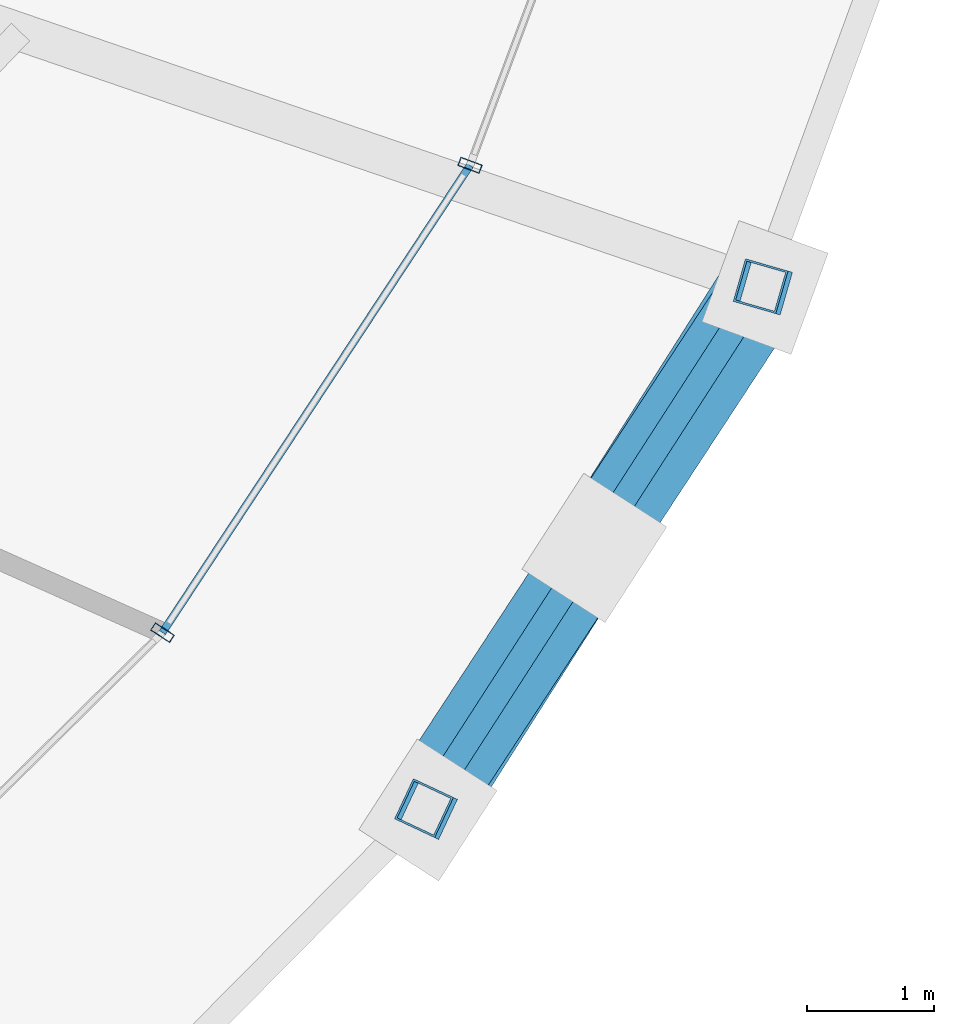
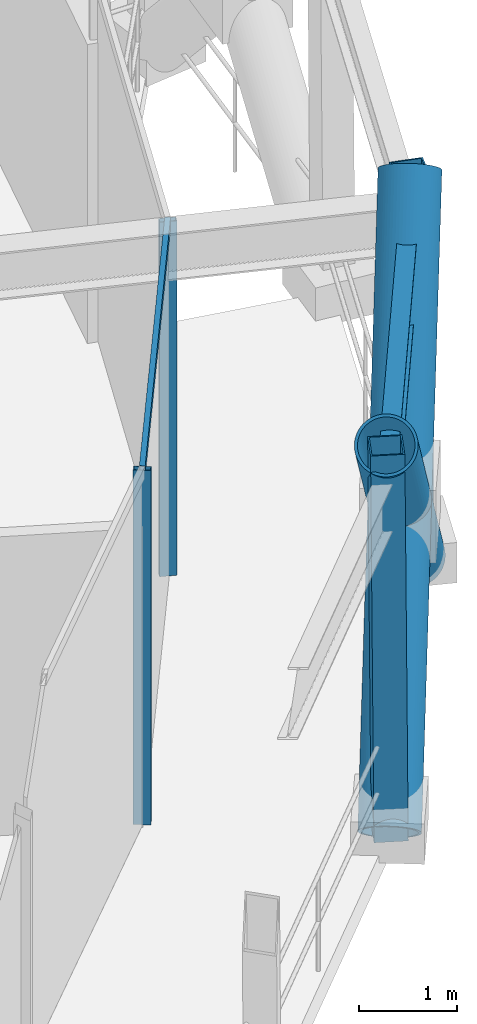
# One storey, part 15 of 39: 8 members, 1 beam, 1 element without a shape of its own.
"""IFC4 building model written with IfcOpenShell, lengths in metres."""

from ifc_helpers import new_model, si_unit, direction, frame, origin, origin_2d, place, context, subcontext, project, spatial, hollow_rectangle, hollow_circle, i_section, extrude, material, layer, layer_set, material_profile, profile_set, type_object, element, aggregate, save


model = new_model("IFC4")

# Units and contexts
model_context = context("Model", 3, precision=1e-05, world=origin(), true_north=direction((0.0, 1.0)))
body_context = subcontext(model_context, "Body", "Model", "MODEL_VIEW")
ifc_project = project(units=[si_unit("LENGTHUNIT", "METRE"), si_unit("AREAUNIT", "SQUARE_METRE"), si_unit("VOLUMEUNIT", "CUBIC_METRE"), si_unit("PLANEANGLEUNIT", "RADIAN"), si_unit("MASSUNIT", "GRAM", prefix="KILO")], contexts=[model_context])

# Site, building, storey
site_placement = place(None, origin())
site = spatial("IfcSite", under=ifc_project, at=site_placement, CompositionType="ELEMENT")
building_placement = place(site_placement, origin())
building = spatial("IfcBuilding", under=site, at=building_placement, Name="Veldorina Hangang Commons", CompositionType="ELEMENT")
storey_placement = place(building_placement, frame((0.0, 0.0, 106.0)))
storey = spatial("IfcBuildingStorey", under=building, at=storey_placement, Name="L27", CompositionType="ELEMENT", Elevation=106.0)

# Beam
ifc_material_1 = material(Name="Steel SM420-TMC", Category="steel")
ifc_material_profile_1 = material_profile(ifc_material_1, i_section(OverallWidth=0.199951171875, OverallDepth=0.60009765625, WebThickness=0.010986328125, FlangeThickness=0.01708984375, FilletRadius=0.01806640625, at=origin_2d()), Name="H-600x200x11x17")
ifc_profile_set_1 = profile_set([ifc_material_profile_1], Name="Steel SM420-TMC")
beam_type = type_object("IfcBeamType", Name="BM-RB600", PredefinedType="BEAM", material=ifc_profile_set_1)
beam_placement = place(storey_placement, frame((55.905029296875, 10.763427734375, 4.139892578125), z_axis=(0.542050857771, 0.840345683388, 0.0), x_axis=(-0.840345683388, 0.542050857771, 0.0)))
element("IfcBeam", 1, at=beam_placement, inside=storey, type_object=beam_type, Name="L27 perimeter hoop ring beam 29", PredefinedType="BEAM", context=body_context, shape_type="SweptSolid", body=[
    extrude(i_section(OverallWidth=0.199951171875, OverallDepth=0.60009765625, WebThickness=0.010986328125, FlangeThickness=0.01708984375, FilletRadius=0.01806640625, at=origin_2d()), origin(), (0.0, 0.0, 1.0), 4.901611328125),
])

# Curtain wall, members
ifc_material_2 = material(Name="Glass Acoustic Laminated", Category="glass")
ifc_layer = layer(ifc_material_2, 0.179931640625)
ifc_layer_set = layer_set([ifc_layer], Name="Glass Acoustic Laminated")
curtain_wall_type = type_object("IfcCurtainWallType", Name="CW-SYS-SKY", PredefinedType="NOTDEFINED", material=ifc_layer_set)
curtain_wall_placement = place(storey_placement, origin())
curtain_wall = element("IfcCurtainWall", 2, at=curtain_wall_placement, inside=storey, type_object=curtain_wall_type, Name="L27 unitised curtain wall CW-L27-R12", PredefinedType="NOTDEFINED")
ifc_material_3 = material(Name="Aluminium Anodized AA6063-T6", Category="aluminium")
ifc_material_profile_2 = material_profile(ifc_material_3, hollow_rectangle(XDim=0.070068359375, YDim=0.179931640625, WallThickness=0.00390625, at=origin_2d()), Name="ALU-RHS-180x70x4")
ifc_profile_set_2 = profile_set([ifc_material_profile_2], Name="Aluminium Anodized AA6063-T6")
member_type_1 = type_object("IfcMemberType", Name="CW-MUL-180", PredefinedType="MULLION", material=ifc_profile_set_2)
member_1_placement = place(storey_placement, frame((53.8369140625, 12.150634765625, 0.0), z_axis=(0.0, 0.0, 1.0), x_axis=(0.549781146482, 0.835308739912, 0.0)))
member_1 = element("IfcMember", 3, at=member_1_placement, type_object=member_type_1, Name="CW-L27-R12 vertical mullion 3", PredefinedType="MULLION", context=body_context, shape_type="SweptSolid", body=[
    extrude(hollow_rectangle(XDim=0.070068359375, YDim=0.179931640625, WallThickness=0.00390625, at=origin_2d()), origin(), (0.0, 0.0, 1.0), 4.39990234375),
])
member_2_placement = place(storey_placement, frame((56.263916015625, 15.838134765625, 0.0), z_axis=(0.0, 0.0, 1.0), x_axis=(0.349913099735, 0.936782163917, 0.0)))
member_2 = element("IfcMember", 4, at=member_2_placement, type_object=member_type_1, Name="CW-L27-R12 vertical mullion 4", PredefinedType="MULLION", context=body_context, shape_type="SweptSolid", body=[
    extrude(hollow_rectangle(XDim=0.070068359375, YDim=0.179931640625, WallThickness=0.00390625, at=origin_2d()), origin(), (0.0, 0.0, 1.0), 4.39990234375),
])
ifc_material_profile_3 = material_profile(ifc_material_3, hollow_rectangle(XDim=0.06005859375, YDim=0.139892578125, WallThickness=0.00341796875, at=origin_2d()), Name="ALU-RHS-140x60x3.5")
ifc_profile_set_3 = profile_set([ifc_material_profile_3], Name="Aluminium Anodized AA6063-T6")
member_type_2 = type_object("IfcMemberType", Name="CW-TRN-140", PredefinedType="USERDEFINED", material=ifc_profile_set_3)
member_3_placement = place(storey_placement, frame((53.8369140625, 12.150634765625, 4.360107421875), z_axis=(0.549776977156, 0.835311484052, 0.0), x_axis=(-0.835311484052, 0.549776977156, 0.0)))
member_3 = element("IfcMember", 5, at=member_3_placement, type_object=member_type_2, Name="CW-L27-R12 facet 4 transom 1", ObjectType="TRANSOM", PredefinedType="USERDEFINED", context=body_context, shape_type="SweptSolid", body=[
    extrude(hollow_rectangle(XDim=0.06005859375, YDim=0.139892578125, WallThickness=0.00341796875, at=origin_2d()), origin(), (0.0, 0.0, 1.0), 4.41455078125),
])
aggregate(curtain_wall, [member_1, member_2, member_3])

# Members
ifc_material_4 = material(Name="Steel SM460-TMC", Category="steel")
ifc_material_profile_4 = material_profile(ifc_material_4, hollow_circle(Radius=0.324951171875, WallThickness=0.031982421875, at=origin_2d()), Name="CHS-650x32")
ifc_profile_set_4 = profile_set([ifc_material_profile_4], Name="Steel SM460-TMC")
member_type_3 = type_object("IfcMemberType", Name="DG-CHS650", PredefinedType="BRACE", material=ifc_profile_set_4)
member_4_placement = place(storey_placement, frame((55.93212890625, 10.750732421875, 0.0), z_axis=(0.382841638249, 0.602783304865, 0.700060402679), x_axis=(-0.844135446296, 0.536129973334, 0.0)))
element("IfcMember", 6, at=member_4_placement, inside=storey, type_object=member_type_3, Name="L27 continuous perimeter diagrid brace 29", PredefinedType="BRACE", context=body_context, shape_type="SweptSolid", body=[
    extrude(hollow_circle(Radius=0.324951171875, WallThickness=0.031982421875, at=origin_2d()), origin(), (0.0, 0.0, 1.0), 6.856689453125),
])
member_5_placement = place(storey_placement, frame((58.591796875, 14.873779296875, 0.0), z_axis=(-0.391909395982, -0.598203680033, 0.698970230079), x_axis=(0.836472124272, -0.548009475571, 0.0)))
element("IfcMember", 7, at=member_5_placement, inside=storey, type_object=member_type_3, Name="L27 split perimeter diagrid lower brace 30", PredefinedType="BRACE", context=body_context, shape_type="SweptSolid", body=[
    extrude(hollow_circle(Radius=0.324951171875, WallThickness=0.031982421875, at=origin_2d()), origin(), (0.0, 0.0, 1.0), 3.435546875),
])
member_6_placement = place(storey_placement, frame((57.245361328125, 12.818603515625, 2.4013671875), z_axis=(-0.391775469917, -0.598298838206, 0.698963862708), x_axis=(0.836597904484, -0.547817438763, 0.0)))
element("IfcMember", 8, at=member_6_placement, inside=storey, type_object=member_type_3, Name="L27 split perimeter diagrid upper brace 30", PredefinedType="BRACE", context=body_context, shape_type="SweptSolid", body=[
    extrude(hollow_circle(Radius=0.324951171875, WallThickness=0.031982421875, at=origin_2d()), origin(), (0.0, 0.0, 1.0), 3.431884765625),
])
ifc_material_5 = material(Name="Steel SM355-TMC", Category="steel")
ifc_material_profile_5 = material_profile(ifc_material_5, hollow_rectangle(XDim=0.35009765625, YDim=0.35009765625, WallThickness=0.01611328125, at=origin_2d()), Name="SHS-350x350x16")
ifc_profile_set_5 = profile_set([ifc_material_profile_5], Name="Steel SM355-TMC")
member_type_4 = type_object("IfcMemberType", Name="STR-SHS350", PredefinedType="STRUT", material=ifc_profile_set_5)
for number, where, z_axis, x_axis, name in (
    (9, (55.93212890625, 10.750732421875, 0.0), (-0.006510182161, 0.003051647888, 0.999974152153), (-0.424433876231, -0.905458935959, 0.0), "L27 perimeter ring node post 29"),
    (10, (58.591796875, 14.873779296875, 0.0), (-0.007222215951, 0.002085287704, 0.999971745187), (-0.277400878559, -0.960754262325, 0.0), "L27 perimeter ring node post 30"),
):
    element("IfcMember", number, at=place(storey_placement, frame(where, z_axis=z_axis, x_axis=x_axis)), inside=storey, type_object=member_type_4, Name=name, PredefinedType="STRUT", context=body_context, shape_type="SweptSolid", body=[
        extrude(hollow_rectangle(XDim=0.35009765625, YDim=0.35009765625, WallThickness=0.01611328125, at=origin_2d()), origin(), (0.0, 0.0, 1.0), 4.80029296875),
    ])

save(model, "model.ifc")
